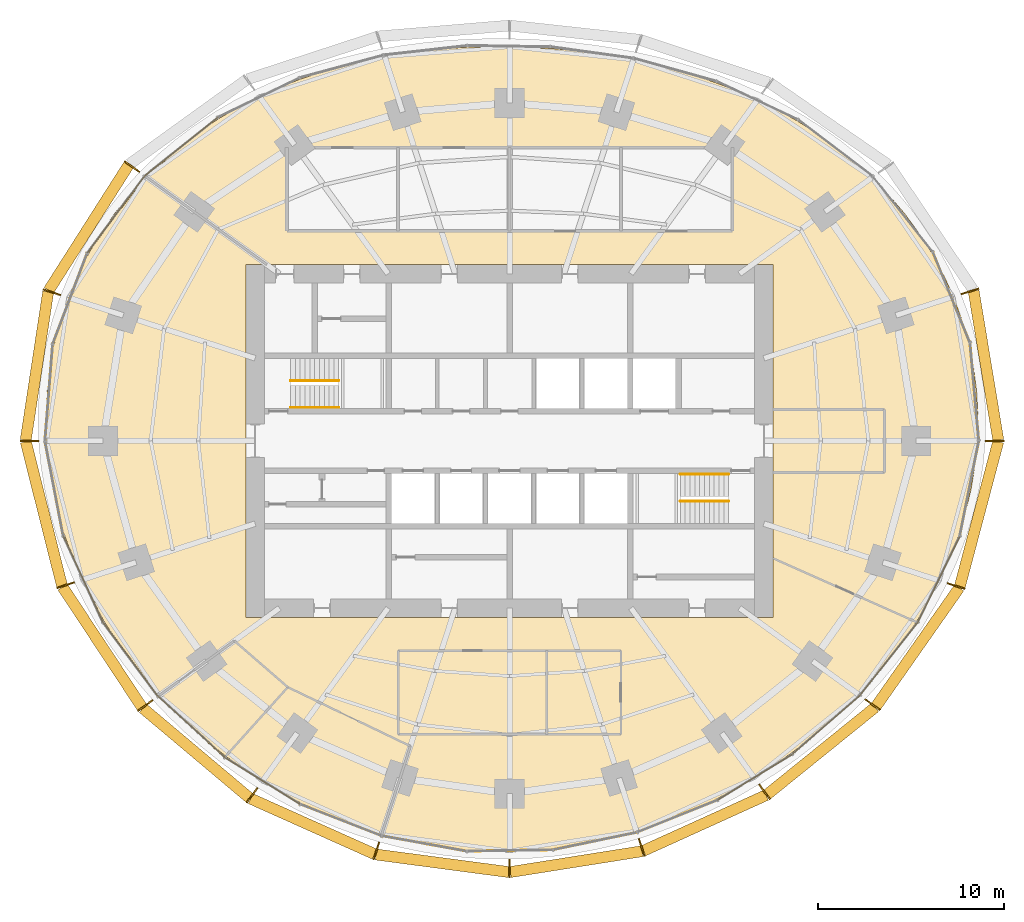
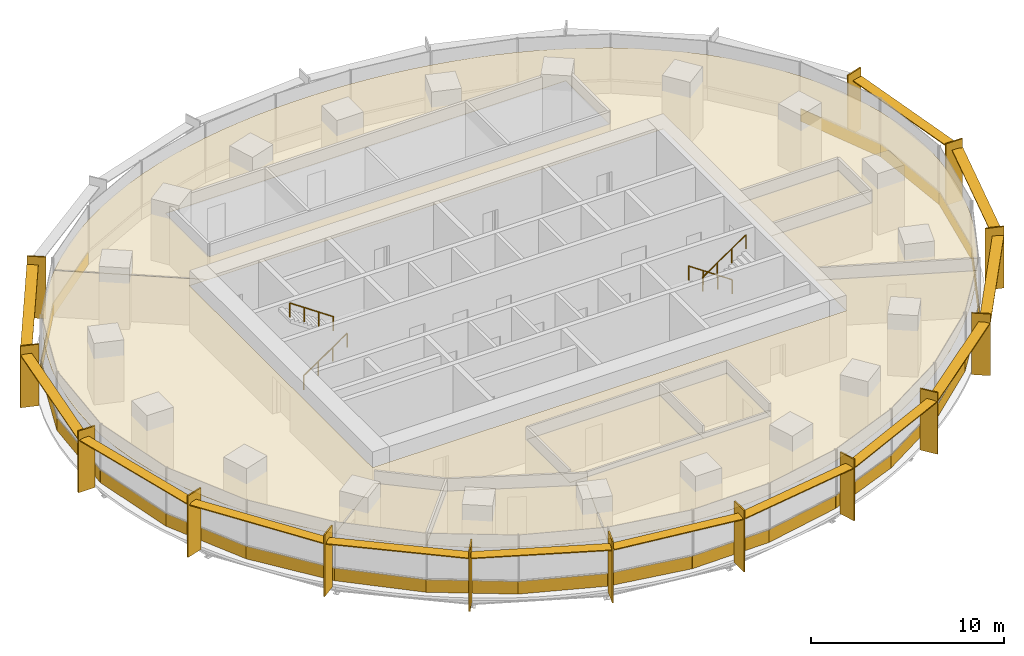
# One storey, part 13 of 14: 28 coverings, 27 shading devices, 4 railings.
"""IFC4 building model written with IfcOpenShell, lengths in metres."""

from ifc_helpers import new_model, si_unit, direction, frame, origin, origin_2d, place, context, subcontext, project, spatial, polyline, rectangle, circle, outline, extrude, material, layer, layer_set, type_object, element, save


model = new_model("IFC4")

# Units and contexts
model_context = context("Model", 3, precision=1e-05, world=origin(), true_north=direction((0.0, 1.0)))
body_context = subcontext(model_context, "Body", "Model", "MODEL_VIEW")
ifc_project = project(units=[si_unit("LENGTHUNIT", "METRE"), si_unit("AREAUNIT", "SQUARE_METRE"), si_unit("VOLUMEUNIT", "CUBIC_METRE"), si_unit("PLANEANGLEUNIT", "RADIAN"), si_unit("MASSUNIT", "GRAM", prefix="KILO")], contexts=[model_context])

# Site, building, storey
site_placement = place(None, origin())
site = spatial("IfcSite", under=ifc_project, at=site_placement, CompositionType="ELEMENT")
building_placement = place(site_placement, origin())
building = spatial("IfcBuilding", under=site, at=building_placement, Name="Marramba Exchange Tower", CompositionType="ELEMENT")
storey_placement = place(building_placement, frame((0.0, 0.0, 158.699951171875)))
storey = spatial("IfcBuildingStorey", under=building, at=storey_placement, Name="L38", CompositionType="ELEMENT", Elevation=158.699951171875)

# Shading devices
ifc_material_1 = material(Name="Aluminium blade, timber-look bronze finish", Category="wood")
ifc_layer_1 = layer(ifc_material_1, 0.080078125)
ifc_layer_set_1 = layer_set([ifc_layer_1], Name="Floor-edge blade 1000x80")
shading_device_type_1 = type_object("IfcShadingDeviceType", Name="Floor-edge blade 1000x80", PredefinedType="USERDEFINED", material=ifc_layer_set_1)
for number, where, z_axis, x_axis, name in (
    (1, (26.132080078125, 0.0, -0.159912109375), (0.0, 0.0, 1.0), (1.0, 0.0, 0.0), "Floor-edge blade FB1 L38 TC01"),
    (2, (24.798583984375, 8.0576171875, -0.159912109375), (0.0, 0.0, 1.0), (0.951056516295, 0.309016994375, 0.0), "Floor-edge blade FB1 L38 TC02"),
    (3, (-20.33642578125, 14.775390625, -0.159912109375), (0.0, 0.0, 1.0), (-0.809016994375, 0.587785252292, 0.0), "Floor-edge blade FB1 L38 TC09"),
    (4, (-24.653076171875, 8.01025390625, -0.159912109375), (0.0, 0.0, 1.0), (-0.951056516295, 0.309016994375, 0.0), "Floor-edge blade FB1 L38 TC10"),
    (5, (-25.867919921875, 0.0, -0.159912109375), (0.0, 0.0, 1.0), (-1.0, 0.0, 0.0), "Floor-edge blade FB1 L38 TC11"),
    (6, (-23.90673828125, -7.767822265625, -0.159912109375), (0.0, 0.0, 1.0), (-0.951056516295, -0.309016994375, 0.0), "Floor-edge blade FB1 L38 TC12"),
    (7, (-19.618408203125, -14.253662109375, -0.159912109375), (0.0, 0.0, 1.0), (-0.809016994375, -0.587785252292, 0.0), "Floor-edge blade FB1 L38 TC13"),
    (8, (-13.866943359375, -19.08642578125, -0.159912109375), (0.0, 0.0, 1.0), (-0.587785252292, -0.809016994375, 0.0), "Floor-edge blade FB1 L38 TC14"),
    (9, (-7.173828125, -22.078857421875, -0.159912109375), (0.0, 0.0, 1.0), (-0.309016994375, -0.951056516295, 0.0), "Floor-edge blade FB1 L38 TC15"),
    (10, (0.0, -23.02685546875, -0.159912109375), (0.0, 0.0, 1.0), (0.0, -1.0, 0.0), "Floor-edge blade FB1 L38 TC16"),
    (11, (7.115966796875, -21.900634765625, -0.159912109375), (0.0, 0.0, 1.0), (0.309016994375, -0.951056516295, 0.0), "Floor-edge blade FB1 L38 TC17"),
    (12, (13.733154296875, -18.902099609375, -0.159912109375), (0.0, 0.0, 1.0), (0.587785252292, -0.809016994375, 0.0), "Floor-edge blade FB1 L38 TC18"),
    (13, (19.555908203125, -14.208251953125, -0.159912109375), (0.0, 0.0, 1.0), (0.809016994375, -0.587785252292, 0.0), "Floor-edge blade FB1 L38 TC19"),
    (14, (24.052001953125, -7.81494140625, -0.159912109375), (0.0, 0.0, 1.0), (0.951056516295, -0.309016994375, 0.0), "Floor-edge blade FB1 L38 TC20"),
):
    element("IfcShadingDevice", number, at=place(storey_placement, frame(where, z_axis=z_axis, x_axis=x_axis)), inside=storey, type_object=shading_device_type_1, Name=name, ObjectType="FIN", PredefinedType="USERDEFINED", context=body_context, shape_type="SweptSolid", body=[
        extrude(rectangle(XDim=1.0, YDim=0.080078125, at=origin_2d()), origin(), (0.0, 0.0, 1.0), 3.89990234375),
    ])
ifc_material_2 = material(Name="Aluminium sunshade, bronze anodised", Category="aluminium")
ifc_layer_2 = layer(ifc_material_2, 0.06005859375)
ifc_layer_set_2 = layer_set([ifc_layer_2], Name="SUNSHADE blade 600x60")
shading_device_type_2 = type_object("IfcShadingDeviceType", Name="SUNSHADE blade 600x60", PredefinedType="USERDEFINED", material=ifc_layer_set_2)
shading_device_1_placement = place(storey_placement, frame((25.660400390625, 4.0595703125, 3.159912109375), z_axis=(0.0, 0.0, 1.0), x_axis=(-0.163227675764, 0.986588427798, 0.0)))
element("IfcShadingDevice", 15, at=shading_device_1_placement, inside=storey, type_object=shading_device_type_2, Name="Sunshade SS1 L38 bay 01", ObjectType="SUNSHADE", PredefinedType="USERDEFINED", context=body_context, shape_type="SweptSolid", body=[
    extrude(rectangle(XDim=8.149658203125, YDim=0.60009765625, at=origin_2d()), origin(), (0.0, 0.0, 1.0), 0.06005859375),
])
shading_device_2_placement = place(storey_placement, frame((-22.6708984375, 11.482421875, 3.159912109375), z_axis=(0.0, 0.0, 1.0), x_axis=(-0.537284770546, -0.843400898351, 0.0)))
element("IfcShadingDevice", 16, at=shading_device_2_placement, inside=storey, type_object=shading_device_type_2, Name="Sunshade SS1 L38 bay 09", ObjectType="SUNSHADE", PredefinedType="USERDEFINED", context=body_context, shape_type="SweptSolid", body=[
    extrude(rectangle(XDim=8.007080078125, YDim=0.60009765625, at=origin_2d()), origin(), (0.0, 0.0, 1.0), 0.06005859375),
])
shading_device_3_placement = place(storey_placement, frame((-25.455810546875, 4.0361328125, 3.159912109375), z_axis=(0.0, 0.0, 1.0), x_axis=(-0.14999307077, -0.988687047918, 0.0)))
element("IfcShadingDevice", 17, at=shading_device_3_placement, inside=storey, type_object=shading_device_type_2, Name="Sunshade SS1 L38 bay 10", ObjectType="SUNSHADE", PredefinedType="USERDEFINED", context=body_context, shape_type="SweptSolid", body=[
    extrude(rectangle(XDim=8.08447265625, YDim=0.60009765625, at=origin_2d()), origin(), (0.0, 0.0, 1.0), 0.06005859375),
])
shading_device_4_placement = place(storey_placement, frame((-25.08251953125, -3.914794921875, 3.159912109375), z_axis=(0.0, 0.0, 1.0), x_axis=(0.244116522902, -0.969745906537, 0.0)))
element("IfcShadingDevice", 18, at=shading_device_4_placement, inside=storey, type_object=shading_device_type_2, Name="Sunshade SS1 L38 bay 11", ObjectType="SUNSHADE", PredefinedType="USERDEFINED", context=body_context, shape_type="SweptSolid", body=[
    extrude(rectangle(XDim=7.993896484375, YDim=0.60009765625, at=origin_2d()), origin(), (0.0, 0.0, 1.0), 0.06005859375),
])
shading_device_5_placement = place(storey_placement, frame((-21.938720703125, -11.100341796875, 3.159912109375), z_axis=(0.0, 0.0, 1.0), x_axis=(0.550792342935, -0.834642315585, 0.0)))
element("IfcShadingDevice", 19, at=shading_device_5_placement, inside=storey, type_object=shading_device_type_2, Name="Sunshade SS1 L38 bay 12", ObjectType="SUNSHADE", PredefinedType="USERDEFINED", context=body_context, shape_type="SweptSolid", body=[
    extrude(rectangle(XDim=7.757568359375, YDim=0.60009765625, at=origin_2d()), origin(), (0.0, 0.0, 1.0), 0.06005859375),
])
shading_device_6_placement = place(storey_placement, frame((-16.88232421875, -16.8095703125, 3.159912109375), z_axis=(0.0, 0.0, 1.0), x_axis=(0.76513863304, -0.643865569998, 0.0)))
element("IfcShadingDevice", 20, at=shading_device_6_placement, inside=storey, type_object=shading_device_type_2, Name="Sunshade SS1 L38 bay 13", ObjectType="SUNSHADE", PredefinedType="USERDEFINED", context=body_context, shape_type="SweptSolid", body=[
    extrude(rectangle(XDim=7.49462890625, YDim=0.60009765625, at=origin_2d()), origin(), (0.0, 0.0, 1.0), 0.06005859375),
])
shading_device_7_placement = place(storey_placement, frame((-10.610107421875, -20.758544921875, 3.159912109375), z_axis=(0.0, 0.0, 1.0), x_axis=(0.912735880581, -0.408550134377, 0.0)))
element("IfcShadingDevice", 21, at=shading_device_7_placement, inside=storey, type_object=shading_device_type_2, Name="Sunshade SS1 L38 bay 14", ObjectType="SUNSHADE", PredefinedType="USERDEFINED", context=body_context, shape_type="SweptSolid", body=[
    extrude(rectangle(XDim=7.314208984375, YDim=0.60009765625, at=origin_2d()), origin(), (0.0, 0.0, 1.0), 0.06005859375),
])
shading_device_8_placement = place(storey_placement, frame((-3.617919921875, -22.748046875, 3.159912109375), z_axis=(0.0, 0.0, 1.0), x_axis=(0.991350478855, -0.131241106646, 0.0)))
element("IfcShadingDevice", 22, at=shading_device_8_placement, inside=storey, type_object=shading_device_type_2, Name="Sunshade SS1 L38 bay 15", ObjectType="SUNSHADE", PredefinedType="USERDEFINED", context=body_context, shape_type="SweptSolid", body=[
    extrude(rectangle(XDim=7.21875, YDim=0.60009765625, at=origin_2d()), origin(), (0.0, 0.0, 1.0), 0.06005859375),
])
shading_device_9_placement = place(storey_placement, frame((3.5888671875, -22.658935546875, 3.159912109375), z_axis=(0.0, 0.0, 1.0), x_axis=(0.987704817912, 0.15633039587, 0.0)))
element("IfcShadingDevice", 23, at=shading_device_9_placement, inside=storey, type_object=shading_device_type_2, Name="Sunshade SS1 L38 bay 16", ObjectType="SUNSHADE", PredefinedType="USERDEFINED", context=body_context, shape_type="SweptSolid", body=[
    extrude(rectangle(XDim=7.18701171875, YDim=0.60009765625, at=origin_2d()), origin(), (0.0, 0.0, 1.0), 0.06005859375),
])
shading_device_10_placement = place(storey_placement, frame((10.514404296875, -20.577392578125, 3.159912109375), z_axis=(0.0, 0.0, 1.0), x_axis=(0.910692240548, 0.413085515366, 0.0)))
element("IfcShadingDevice", 24, at=shading_device_10_placement, inside=storey, type_object=shading_device_type_2, Name="Sunshade SS1 L38 bay 17", ObjectType="SUNSHADE", PredefinedType="USERDEFINED", context=body_context, shape_type="SweptSolid", body=[
    extrude(rectangle(XDim=7.24755859375, YDim=0.60009765625, at=origin_2d()), origin(), (0.0, 0.0, 1.0), 0.06005859375),
])
shading_device_11_placement = place(storey_placement, frame((16.7841796875, -16.69482421875, 3.159912109375), z_axis=(0.0, 0.0, 1.0), x_axis=(0.777962439436, 0.628310785223, 0.0)))
element("IfcShadingDevice", 25, at=shading_device_11_placement, inside=storey, type_object=shading_device_type_2, Name="Sunshade SS1 L38 bay 18", ObjectType="SUNSHADE", PredefinedType="USERDEFINED", context=body_context, shape_type="SweptSolid", body=[
    extrude(rectangle(XDim=7.46142578125, YDim=0.60009765625, at=origin_2d()), origin(), (0.0, 0.0, 1.0), 0.06005859375),
])
shading_device_12_placement = place(storey_placement, frame((21.97998046875, -11.101318359375, 3.159912109375), z_axis=(0.0, 0.0, 1.0), x_axis=(0.574350885858, 0.818609222959, 0.0)))
element("IfcShadingDevice", 26, at=shading_device_12_placement, inside=storey, type_object=shading_device_type_2, Name="Sunshade SS1 L38 bay 19", ObjectType="SUNSHADE", PredefinedType="USERDEFINED", context=body_context, shape_type="SweptSolid", body=[
    extrude(rectangle(XDim=7.7978515625, YDim=0.60009765625, at=origin_2d()), origin(), (0.0, 0.0, 1.0), 0.06005859375),
])
shading_device_13_placement = place(storey_placement, frame((25.287109375, -3.9384765625, 3.159912109375), z_axis=(0.0, 0.0, 1.0), x_axis=(0.256422950151, 0.966564674833, 0.0)))
element("IfcShadingDevice", 27, at=shading_device_13_placement, inside=storey, type_object=shading_device_type_2, Name="Sunshade SS1 L38 bay 20", ObjectType="SUNSHADE", PredefinedType="USERDEFINED", context=body_context, shape_type="SweptSolid", body=[
    extrude(rectangle(XDim=8.0693359375, YDim=0.60009765625, at=origin_2d()), origin(), (0.0, 0.0, 1.0), 0.06005859375),
])

# Coverings
ifc_material_3 = material(Name="Aluminium spandrel panel, bronze anodised, insulated", Category="aluminium")
ifc_layer_3 = layer(ifc_material_3, 0.050048828125)
ifc_layer_set_3 = layer_set([ifc_layer_3], Name="Spandrel panel 800")
covering_type_1 = type_object("IfcCoveringType", Name="Spandrel panel 800", PredefinedType="CLADDING", material=ifc_layer_set_3)
covering_1_placement = place(storey_placement, frame((25.04541015625, 2.63671875, 0.0), z_axis=(0.0, 0.0, 1.0), x_axis=(-0.089412890131, 0.995994646109, 0.0)))
element("IfcCovering", 28, at=covering_1_placement, inside=storey, type_object=covering_type_1, Name="Spandrel panel SP1 L38 F01", PredefinedType="CLADDING", context=body_context, shape_type="SweptSolid", body=[
    extrude(rectangle(XDim=5.29443359375, YDim=0.050048828125, at=origin_2d()), origin(), (0.0, 0.0, 1.0), 0.800048828125),
])
covering_2_placement = place(storey_placement, frame((23.81201171875, 7.715576171875, 0.0), z_axis=(0.0, 0.0, 1.0), x_axis=(-0.377821185272, 0.925878583811, 0.0)))
element("IfcCovering", 29, at=covering_2_placement, inside=storey, type_object=covering_type_1, Name="Spandrel panel SP1 L38 F02", PredefinedType="CLADDING", context=body_context, shape_type="SweptSolid", body=[
    extrude(rectangle(XDim=5.27587890625, YDim=0.050048828125, at=origin_2d()), origin(), (0.0, 0.0, 1.0), 0.800048828125),
])
covering_3_placement = place(storey_placement, frame((-17.673095703125, 15.854736328125, 0.0), z_axis=(0.0, 0.0, 1.0), x_axis=(-0.781178328369, -0.624307952285, 0.0)))
element("IfcCovering", 30, at=covering_3_placement, inside=storey, type_object=covering_type_1, Name="Spandrel panel SP1 L38 F12", PredefinedType="CLADDING", context=body_context, shape_type="SweptSolid", body=[
    extrude(rectangle(XDim=5.058349609375, YDim=0.050048828125, at=origin_2d()), origin(), (0.0, 0.0, 1.0), 0.800048828125),
])
covering_4_placement = place(storey_placement, frame((-21.19580078125, 12.20068359375, 0.0), z_axis=(0.0, 0.0, 1.0), x_axis=(-0.597703998161, -0.801716864349, 0.0)))
element("IfcCovering", 31, at=covering_4_placement, inside=storey, type_object=covering_type_1, Name="Spandrel panel SP1 L38 F13", PredefinedType="CLADDING", context=body_context, shape_type="SweptSolid", body=[
    extrude(rectangle(XDim=5.17626953125, YDim=0.050048828125, at=origin_2d()), origin(), (0.0, 0.0, 1.0), 0.800048828125),
])
covering_5_placement = place(storey_placement, frame((-23.671875, 7.677490234375, 0.0), z_axis=(0.0, 0.0, 1.0), x_axis=(-0.354844476365, -0.934925343326, 0.0)))
element("IfcCovering", 32, at=covering_5_placement, inside=storey, type_object=covering_type_1, Name="Spandrel panel SP1 L38 F14", PredefinedType="CLADDING", context=body_context, shape_type="SweptSolid", body=[
    extrude(rectangle(XDim=5.2373046875, YDim=0.050048828125, at=origin_2d()), origin(), (0.0, 0.0, 1.0), 0.800048828125),
])
covering_6_placement = place(storey_placement, frame((-24.8095703125, 2.614501953125, 0.0), z_axis=(0.0, 0.0, 1.0), x_axis=(-0.079459700697, -0.996838079111, 0.0)))
element("IfcCovering", 33, at=covering_6_placement, inside=storey, type_object=covering_type_1, Name="Spandrel panel SP1 L38 F15", PredefinedType="CLADDING", context=body_context, shape_type="SweptSolid", body=[
    extrude(rectangle(XDim=5.245849609375, YDim=0.050048828125, at=origin_2d()), origin(), (0.0, 0.0, 1.0), 0.800048828125),
])
covering_7_placement = place(storey_placement, frame((-24.5283203125, -2.5546875, 0.0), z_axis=(0.0, 0.0, 1.0), x_axis=(0.188227222909, -0.982125507538, 0.0)))
element("IfcCovering", 34, at=covering_7_placement, inside=storey, type_object=covering_type_1, Name="Spandrel panel SP1 L38 F16", PredefinedType="CLADDING", context=body_context, shape_type="SweptSolid", body=[
    extrude(rectangle(XDim=5.20263671875, YDim=0.050048828125, at=origin_2d()), origin(), (0.0, 0.0, 1.0), 0.800048828125),
])
covering_8_placement = place(storey_placement, frame((-22.973876953125, -7.43212890625, 0.0), z_axis=(0.0, 0.0, 1.0), x_axis=(0.416737850896, -0.909026712275, 0.0)))
element("IfcCovering", 35, at=covering_8_placement, inside=storey, type_object=covering_type_1, Name="Spandrel panel SP1 L38 F17", PredefinedType="CLADDING", context=body_context, shape_type="SweptSolid", body=[
    extrude(rectangle(XDim=5.10986328125, YDim=0.050048828125, at=origin_2d()), origin(), (0.0, 0.0, 1.0), 0.800048828125),
])
covering_9_placement = place(storey_placement, frame((-20.419921875, -11.75439453125, 0.0), z_axis=(0.0, 0.0, 1.0), x_axis=(0.597304701232, -0.802014397555, 0.0)))
element("IfcCovering", 36, at=covering_9_placement, inside=storey, type_object=covering_type_1, Name="Spandrel panel SP1 L38 F18", PredefinedType="CLADDING", context=body_context, shape_type="SweptSolid", body=[
    extrude(rectangle(XDim=4.986572265625, YDim=0.050048828125, at=origin_2d()), origin(), (0.0, 0.0, 1.0), 0.800048828125),
])
covering_10_placement = place(storey_placement, frame((-17.135986328125, -15.39599609375, 0.0), z_axis=(0.0, 0.0, 1.0), x_axis=(0.737821889246, -0.674995451651, 0.0)))
element("IfcCovering", 37, at=covering_10_placement, inside=storey, type_object=covering_type_1, Name="Spandrel panel SP1 L38 F19", PredefinedType="CLADDING", context=body_context, shape_type="SweptSolid", body=[
    extrude(rectangle(XDim=4.865234375, YDim=0.050048828125, at=origin_2d()), origin(), (0.0, 0.0, 1.0), 0.800048828125),
])
covering_11_placement = place(storey_placement, frame((-13.31787109375, -18.300537109375, 0.0), z_axis=(0.0, 0.0, 1.0), x_axis=(0.848354599309, -0.529428440708, 0.0)))
element("IfcCovering", 38, at=covering_11_placement, inside=storey, type_object=covering_type_1, Name="Spandrel panel SP1 L38 F20", PredefinedType="CLADDING", context=body_context, shape_type="SweptSolid", body=[
    extrude(rectangle(XDim=4.76953125, YDim=0.050048828125, at=origin_2d()), origin(), (0.0, 0.0, 1.0), 0.800048828125),
])
covering_12_placement = place(storey_placement, frame((-9.10302734375, -20.416748046875, 0.0), z_axis=(0.0, 0.0, 1.0), x_axis=(0.931818387481, -0.362924913381, 0.0)))
element("IfcCovering", 39, at=covering_12_placement, inside=storey, type_object=covering_type_1, Name="Spandrel panel SP1 L38 F21", PredefinedType="CLADDING", context=body_context, shape_type="SweptSolid", body=[
    extrude(rectangle(XDim=4.704345703125, YDim=0.050048828125, at=origin_2d()), origin(), (0.0, 0.0, 1.0), 0.800048828125),
])
covering_13_placement = place(storey_placement, frame((-4.616943359375, -21.685302734375, 0.0), z_axis=(0.0, 0.0, 1.0), x_axis=(0.984031866928, -0.177992373069, 0.0)))
element("IfcCovering", 40, at=covering_13_placement, inside=storey, type_object=covering_type_1, Name="Spandrel panel SP1 L38 F22", PredefinedType="CLADDING", context=body_context, shape_type="SweptSolid", body=[
    extrude(rectangle(XDim=4.662841796875, YDim=0.050048828125, at=origin_2d()), origin(), (0.0, 0.0, 1.0), 0.800048828125),
])
covering_14_placement = place(storey_placement, frame((-0.003662109375, -22.065185546875, 0.0), z_axis=(0.0, 0.0, 1.0), x_axis=(0.999884797651, 0.015178650325, 0.0)))
element("IfcCovering", 41, at=covering_14_placement, inside=storey, type_object=covering_type_1, Name="Spandrel panel SP1 L38 F23", PredefinedType="CLADDING", context=body_context, shape_type="SweptSolid", body=[
    extrude(rectangle(XDim=4.638916015625, YDim=0.050048828125, at=origin_2d()), origin(), (0.0, 0.0, 1.0), 0.800048828125),
])
covering_15_placement = place(storey_placement, frame((4.58447265625, -21.56103515625, 0.0), z_axis=(0.0, 0.0, 1.0), x_axis=(0.979310200528, 0.202364846604, 0.0)))
element("IfcCovering", 42, at=covering_15_placement, inside=storey, type_object=covering_type_1, Name="Spandrel panel SP1 L38 F24", PredefinedType="CLADDING", context=body_context, shape_type="SweptSolid", body=[
    extrude(rectangle(XDim=4.6337890625, YDim=0.050048828125, at=origin_2d()), origin(), (0.0, 0.0, 1.0), 0.800048828125),
])
covering_16_placement = place(storey_placement, frame((9.014892578125, -20.225341796875, 0.0), z_axis=(0.0, 0.0, 1.0), x_axis=(0.928148914987, 0.372209069755, 0.0)))
element("IfcCovering", 43, at=covering_16_placement, inside=storey, type_object=covering_type_1, Name="Spandrel panel SP1 L38 F25", PredefinedType="CLADDING", context=body_context, shape_type="SweptSolid", body=[
    extrude(rectangle(XDim=4.657958984375, YDim=0.050048828125, at=origin_2d()), origin(), (0.0, 0.0, 1.0), 0.800048828125),
])
covering_17_placement = place(storey_placement, frame((13.193115234375, -18.125244140625, 0.0), z_axis=(0.0, 0.0, 1.0), x_axis=(0.853109118827, 0.521732528576, 0.0)))
element("IfcCovering", 44, at=covering_17_placement, inside=storey, type_object=covering_type_1, Name="Spandrel panel SP1 L38 F26", PredefinedType="CLADDING", context=body_context, shape_type="SweptSolid", body=[
    extrude(rectangle(XDim=4.7275390625, YDim=0.050048828125, at=origin_2d()), origin(), (0.0, 0.0, 1.0), 0.800048828125),
])
covering_18_placement = place(storey_placement, frame((17.038818359375, -15.30029296875, 0.0), z_axis=(0.0, 0.0, 1.0), x_axis=(0.754385510875, 0.656431642277, 0.0)))
element("IfcCovering", 45, at=covering_18_placement, inside=storey, type_object=covering_type_1, Name="Spandrel panel SP1 L38 F27", PredefinedType="CLADDING", context=body_context, shape_type="SweptSolid", body=[
    extrude(rectangle(XDim=4.849609375, YDim=0.050048828125, at=origin_2d()), origin(), (0.0, 0.0, 1.0), 0.800048828125),
])
covering_19_placement = place(storey_placement, frame((20.425048828125, -11.747802734375, 0.0), z_axis=(0.0, 0.0, 1.0), x_axis=(0.621807470279, 0.783170141097, 0.0)))
element("IfcCovering", 46, at=covering_19_placement, inside=storey, type_object=covering_type_1, Name="Spandrel panel SP1 L38 F28", PredefinedType="CLADDING", context=body_context, shape_type="SweptSolid", body=[
    extrude(rectangle(XDim=5.00732421875, YDim=0.050048828125, at=origin_2d()), origin(), (0.0, 0.0, 1.0), 0.800048828125),
])
covering_20_placement = place(storey_placement, frame((23.114013671875, -7.47021484375, 0.0), z_axis=(0.0, 0.0, 1.0), x_axis=(0.439086346903, 0.898444867515, 0.0)))
element("IfcCovering", 47, at=covering_20_placement, inside=storey, type_object=covering_type_1, Name="Spandrel panel SP1 L38 F29", PredefinedType="CLADDING", context=body_context, shape_type="SweptSolid", body=[
    extrude(rectangle(XDim=5.156982421875, YDim=0.050048828125, at=origin_2d()), origin(), (0.0, 0.0, 1.0), 0.800048828125),
])
covering_21_placement = place(storey_placement, frame((24.76416015625, -2.576904296875, 0.0), z_axis=(0.0, 0.0, 1.0), x_axis=(0.197048514193, 0.980393738788, 0.0)))
element("IfcCovering", 48, at=covering_21_placement, inside=storey, type_object=covering_type_1, Name="Spandrel panel SP1 L38 F30", PredefinedType="CLADDING", context=body_context, shape_type="SweptSolid", body=[
    extrude(rectangle(XDim=5.2568359375, YDim=0.050048828125, at=origin_2d()), origin(), (0.0, 0.0, 1.0), 0.800048828125),
])

# Railings
ifc_material_4 = material(Name="Stainless steel handrail", Category="steel")
railing_type = type_object("IfcRailingType", Name="Stair handrail 900", PredefinedType="HANDRAIL", material=ifc_material_4)
railing_1_placement = place(storey_placement, frame((-11.800048828125, 1.800048828125, 0.17724609375)))
element("IfcRailing", 49, at=railing_1_placement, inside=storey, type_object=railing_type, Name="Handrail HR1 ST1 L38 flight 1", PredefinedType="HANDRAIL", context=body_context, shape_type="SweptSolid", body=[
    extrude(circle(Radius=0.02392578125, at=origin_2d()), frame((0.0, 0.0, 0.8759765625), z_axis=(0.826240473404, 0.0, 0.563317565952), x_axis=(0.0, 1.0, 0.0)), (0.0, 0.0, 1.0), 3.14697265625),
    extrude(circle(Radius=0.02099609375, at=origin_2d()), origin(), (0.0, 0.0, 1.0), 0.851806640625),
    extrude(circle(Radius=0.02099609375, at=origin_2d()), frame((0.86669921875, 0.0, 0.5908203125)), (0.0, 0.0, 1.0), 0.851806640625),
    extrude(circle(Radius=0.02099609375, at=origin_2d()), frame((1.7333984375, 0.0, 1.181884765625)), (0.0, 0.0, 1.0), 0.851806640625),
    extrude(circle(Radius=0.02099609375, at=origin_2d()), frame((2.60009765625, 0.0, 1.772705078125)), (0.0, 0.0, 1.0), 0.851806640625),
])
for number, where, name in (
    (50, (-9.199951171875, 3.25, 2.12744140625), "Handrail HR1 ST1 L38 flight 2"),
    (51, (11.800048828125, -1.800048828125, 0.17724609375), "Handrail HR1 ST2 L38 flight 1"),
):
    element("IfcRailing", number, at=place(storey_placement, frame(where)), inside=storey, type_object=railing_type, Name=name, PredefinedType="HANDRAIL", context=body_context, shape_type="SweptSolid", body=[
        extrude(circle(Radius=0.02392578125, at=origin_2d()), frame((0.0, 0.0, 0.8759765625), z_axis=(-0.826240473404, 0.0, 0.563317565952), x_axis=(0.0, -1.0, 0.0)), (0.0, 0.0, 1.0), 3.14697265625),
        extrude(circle(Radius=0.02099609375, at=origin_2d()), origin(), (0.0, 0.0, 1.0), 0.851806640625),
        extrude(circle(Radius=0.02099609375, at=origin_2d()), frame((-0.86669921875, 0.0, 0.5908203125)), (0.0, 0.0, 1.0), 0.851806640625),
        extrude(circle(Radius=0.02099609375, at=origin_2d()), frame((-1.7333984375, 0.0, 1.181884765625)), (0.0, 0.0, 1.0), 0.851806640625),
        extrude(circle(Radius=0.02099609375, at=origin_2d()), frame((-2.60009765625, 0.0, 1.772705078125)), (0.0, 0.0, 1.0), 0.851806640625),
    ])
railing_2_placement = place(storey_placement, frame((9.199951171875, -3.25, 2.12744140625)))
element("IfcRailing", 52, at=railing_2_placement, inside=storey, type_object=railing_type, Name="Handrail HR1 ST2 L38 flight 2", PredefinedType="HANDRAIL", context=body_context, shape_type="SweptSolid", body=[
    extrude(circle(Radius=0.02392578125, at=origin_2d()), frame((0.0, 0.0, 0.8759765625), z_axis=(0.826240473404, 0.0, 0.563317565952), x_axis=(0.0, 1.0, 0.0)), (0.0, 0.0, 1.0), 3.14697265625),
    extrude(circle(Radius=0.02099609375, at=origin_2d()), origin(), (0.0, 0.0, 1.0), 0.851806640625),
    extrude(circle(Radius=0.02099609375, at=origin_2d()), frame((0.86669921875, 0.0, 0.5908203125)), (0.0, 0.0, 1.0), 0.851806640625),
    extrude(circle(Radius=0.02099609375, at=origin_2d()), frame((1.7333984375, 0.0, 1.181884765625)), (0.0, 0.0, 1.0), 0.851806640625),
    extrude(circle(Radius=0.02099609375, at=origin_2d()), frame((2.60009765625, 0.0, 1.772705078125)), (0.0, 0.0, 1.0), 0.851806640625),
])

# Coverings
ifc_material_5 = material(Name="Mineral fibre ceiling tiles", Category="gypsum")
ifc_layer_4 = layer(ifc_material_5, 0.02001953125)
ifc_layer_set_4 = layer_set([ifc_layer_4], Name="Suspended ceiling 20")
covering_type_2 = type_object("IfcCoveringType", Name="Suspended ceiling 20", PredefinedType="CEILING", material=ifc_layer_set_4)
covering_22_placement = place(storey_placement, frame((0.0, 0.0, 2.900146484375)))
element("IfcCovering", 53, at=covering_22_placement, inside=storey, type_object=covering_type_2, Name="Ceiling CL1 L38 Index Services Office", PredefinedType="CEILING", context=body_context, shape_type="SweptSolid", body=[
    extrude(outline(polyline([(-14.199951171875, -9.5), (14.199951171875, -9.5), (14.199951171875, -6.322265625), (21.90869140625, -9.75439453125), (21.197509765625, -10.80078125), (20.439697265625, -11.80078125), (19.64013671875, -12.75439453125), (18.803466796875, -13.66162109375), (17.93359375, -14.5224609375), (17.033935546875, -15.33740234375), (16.107421875, -16.107421875), (15.156005859375, -16.83251953125), (14.181884765625, -17.51318359375), (13.1865234375, -18.14990234375), (12.171142578125, -18.741943359375), (11.13671875, -19.289306640625), (10.083984375, -19.791259765625), (9.0146484375, -20.2470703125), (7.928955078125, -20.65576171875), (6.82861328125, -21.01611328125), (5.714599609375, -21.3271484375), (4.58837890625, -21.587158203125), (3.4521484375, -21.79541015625), (2.30712890625, -21.950439453125), (1.15576171875, -22.05126953125), (0.0, -22.096923828125), (-1.157470703125, -22.0869140625), (-2.314453125, -22.020751953125), (-3.468505859375, -21.898193359375), (-4.61669921875, -21.719482421875), (-5.7568359375, -21.484619140625), (-6.886474609375, -21.1943359375), (-5.34130859375, -16.439208984375), (-11.94189453125, -13.2626953125), (-14.82080078125, -10.76806640625), (-18.865966796875, -13.706787109375), (-19.673095703125, -12.77587890625), (-20.439697265625, -11.80078125), (-21.162109375, -10.78271484375), (-21.836181640625, -9.72216796875), (-22.457763671875, -8.62060546875), (-23.022216796875, -7.48046875), (-23.52490234375, -6.303466796875), (-23.96044921875, -5.093017578125), (-24.32421875, -3.8525390625), (-24.611083984375, -2.586669921875), (-24.81689453125, -1.300537109375), (-24.93798828125, 0.0), (-24.970947265625, 1.30859375), (-24.913330078125, 2.618408203125), (-24.76416015625, 3.92236328125), (-24.52294921875, 5.21240234375), (-24.1904296875, 6.481689453125), (-23.768798828125, 7.722900390625), (-23.260498046875, 8.928955078125), (-22.669677734375, 10.09326171875), (-22.0009765625, 11.2099609375), (-21.259765625, 12.2744140625), (-20.451904296875, 13.28173828125), (-19.583984375, 14.228759765625), (-13.07568359375, 9.5), (-14.199951171875, 9.5), (-14.199951171875, -9.5)]), holes=[polyline([(-6.0, -15.800048828125), (2.0, -15.800048828125), (6.0, -15.800048828125), (6.0, -11.300048828125), (2.0, -11.300048828125), (-6.0, -11.300048828125), (-6.0, -15.800048828125)])]), origin(), (0.0, 0.0, 1.0), 0.02001953125),
])
covering_23_placement = place(storey_placement, frame((0.0, 0.0, 2.900146484375)))
element("IfcCovering", 54, at=covering_23_placement, inside=storey, type_object=covering_type_2, Name="Ceiling CL1 L38 Market Data Office", PredefinedType="CEILING", context=body_context, shape_type="SweptSolid", body=[
    extrude(outline(polyline([(14.199951171875, -1.699951171875), (20.199951171875, -1.699951171875), (20.199951171875, 1.699951171875), (14.199951171875, 1.699951171875), (14.199951171875, 9.5), (-13.07568359375, 9.5), (-19.583984375, 14.228759765625), (-18.66259765625, 15.11279296875), (-17.6943359375, 15.93212890625), (-16.685791015625, 16.685791015625), (-15.643798828125, 17.374267578125), (-14.57421875, 17.99755859375), (-13.482666015625, 18.55712890625), (-12.37451171875, 19.05517578125), (-11.2548828125, 19.493896484375), (-10.127197265625, 19.875732421875), (-8.995361328125, 20.203857421875), (-7.862060546875, 20.4814453125), (-6.7294921875, 20.711181640625), (-5.59912109375, 20.896484375), (-4.47216796875, 21.0400390625), (-3.34912109375, 21.14453125), (-2.2294921875, 21.212158203125), (-1.11328125, 21.244384765625), (0.0, 21.2431640625), (1.111572265625, 21.208740234375), (2.22216796875, 21.1416015625), (3.332763671875, 21.041748046875), (4.444091796875, 20.907958984375), (5.556884765625, 20.739013671875), (6.671630859375, 20.533203125), (7.787841796875, 20.287841796875), (8.905029296875, 20.0009765625), (10.02197265625, 19.6689453125), (11.13671875, 19.289306640625), (12.24658203125, 18.8583984375), (13.348876953125, 18.373046875), (14.43896484375, 17.830810546875), (15.512451171875, 17.228271484375), (16.563720703125, 16.563720703125), (17.5869140625, 15.835205078125), (18.5751953125, 15.041748046875), (19.521484375, 14.18310546875), (20.4189453125, 13.26025390625), (21.259765625, 12.2744140625), (22.03662109375, 11.228271484375), (22.7421875, 10.12548828125), (23.3701171875, 8.970947265625), (23.9140625, 7.77001953125), (24.368896484375, 6.529541015625), (24.73046875, 5.256591796875), (24.99560546875, 3.958984375), (25.16259765625, 2.644775390625), (25.231201171875, 1.322265625), (25.201904296875, 0.0), (25.077392578125, -1.314208984375), (24.8603515625, -2.61279296875), (24.555419921875, -3.88916015625), (24.16796875, -5.136962890625), (23.703125, -6.351318359375), (23.16748046875, -7.527587890625), (22.5673828125, -8.662841796875), (21.90869140625, -9.75439453125), (19.759033203125, -8.79736328125), (14.199951171875, -6.322265625), (14.199951171875, -1.699951171875)]), holes=[polyline([(-12.0, 11.300048828125), (-6.0, 11.300048828125), (0.0, 11.300048828125), (6.0, 11.300048828125), (12.0, 11.300048828125), (12.0, 15.800048828125), (6.0, 15.800048828125), (0.0, 15.800048828125), (-6.0, 15.800048828125), (-12.0, 15.800048828125), (-12.0, 11.300048828125)])]), origin(), (0.0, 0.0, 1.0), 0.02001953125),
])
covering_24_placement = place(storey_placement, frame((0.0, 0.0, 2.900146484375)))
element("IfcCovering", 55, at=covering_24_placement, inside=storey, type_object=covering_type_2, Name="Ceiling CL1 L38 Corridor", PredefinedType="CEILING", context=body_context, shape_type="SweptSolid", body=[
    extrude(outline(polyline([(14.199951171875, -1.699951171875), (14.199951171875, 1.699951171875), (20.199951171875, 1.699951171875), (20.199951171875, -1.699951171875), (14.199951171875, -1.699951171875)])), origin(), (0.0, 0.0, 1.0), 0.02001953125),
])
covering_25_placement = place(storey_placement, frame((0.0, 0.0, 2.900146484375)))
element("IfcCovering", 56, at=covering_25_placement, inside=storey, type_object=covering_type_2, Name="Ceiling CL1 L38 Office 1", PredefinedType="CEILING", context=body_context, shape_type="SweptSolid", body=[
    extrude(outline(polyline([(-15.601318359375, -16.72900390625), (-16.229736328125, -16.229736328125), (-17.1416015625, -15.434326171875), (-18.021240234375, -14.59326171875), (-18.23583984375, -14.3681640625), (-18.865966796875, -13.706787109375), (-14.82080078125, -10.76806640625), (-11.94189453125, -13.2626953125), (-15.28759765625, -16.978515625), (-15.601318359375, -16.72900390625)])), origin(), (0.0, 0.0, 1.0), 0.02001953125),
])
covering_26_placement = place(storey_placement, frame((0.0, 0.0, 2.900146484375)))
element("IfcCovering", 57, at=covering_26_placement, inside=storey, type_object=covering_type_2, Name="Ceiling CL1 L38 Office 2", PredefinedType="CEILING", context=body_context, shape_type="SweptSolid", body=[
    extrude(outline(polyline([(-6.886474609375, -21.1943359375), (-7.502685546875, -21.00390625), (-8.00341796875, -20.84912109375), (-9.10498046875, -20.4501953125), (-10.055419921875, -20.0537109375), (-10.189453125, -19.997802734375), (-11.2548828125, -19.493896484375), (-12.299072265625, -18.938720703125), (-12.6591796875, -18.7255859375), (-13.3203125, -18.333984375), (-14.317138671875, -17.68017578125), (-14.728515625, -17.3828125), (-15.28759765625, -16.978515625), (-11.94189453125, -13.2626953125), (-5.34130859375, -16.439208984375), (-6.886474609375, -21.1943359375), (-6.886474609375, -21.1943359375)])), origin(), (0.0, 0.0, 1.0), 0.02001953125),
])
covering_27_placement = place(storey_placement, frame((0.0, 0.0, 2.900146484375)))
element("IfcCovering", 58, at=covering_27_placement, inside=storey, type_object=covering_type_2, Name="Ceiling CL1 L38 Pantry", PredefinedType="CEILING", context=body_context, shape_type="SweptSolid", body=[
    extrude(outline(polyline([(2.0, -15.800048828125), (-6.0, -15.800048828125), (-6.0, -11.300048828125), (2.0, -11.300048828125), (2.0, -15.800048828125)])), origin(), (0.0, 0.0, 1.0), 0.02001953125),
])
covering_28_placement = place(storey_placement, frame((0.0, 0.0, 2.900146484375)))
element("IfcCovering", 59, at=covering_28_placement, inside=storey, type_object=covering_type_2, Name="Ceiling CL1 L38 Print Room", PredefinedType="CEILING", context=body_context, shape_type="SweptSolid", body=[
    extrude(outline(polyline([(6.0, -15.800048828125), (2.0, -15.800048828125), (2.0, -11.300048828125), (6.0, -11.300048828125), (6.0, -15.800048828125)])), origin(), (0.0, 0.0, 1.0), 0.02001953125),
])

save(model, "model.ifc")
